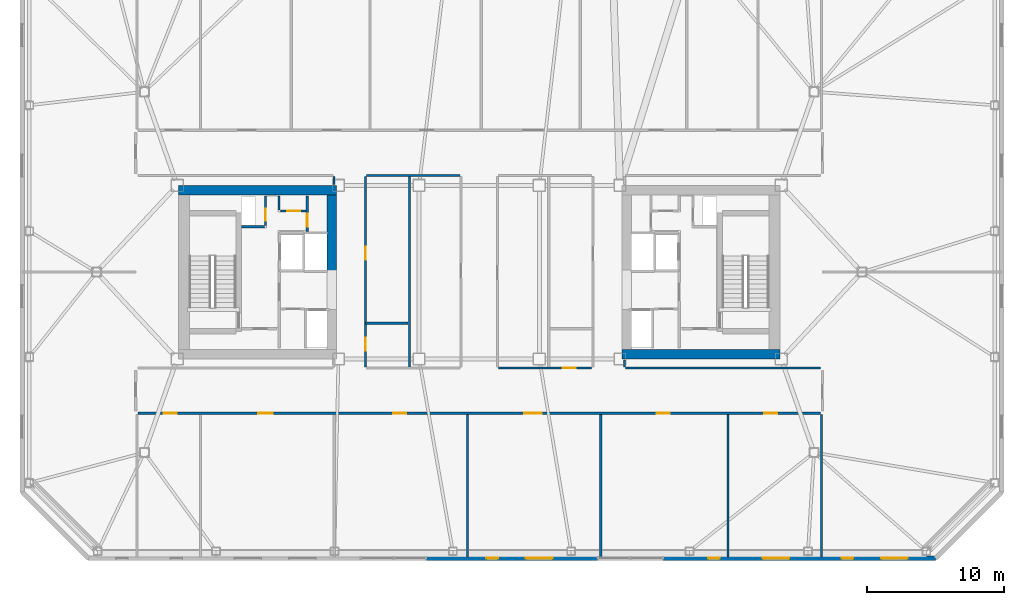
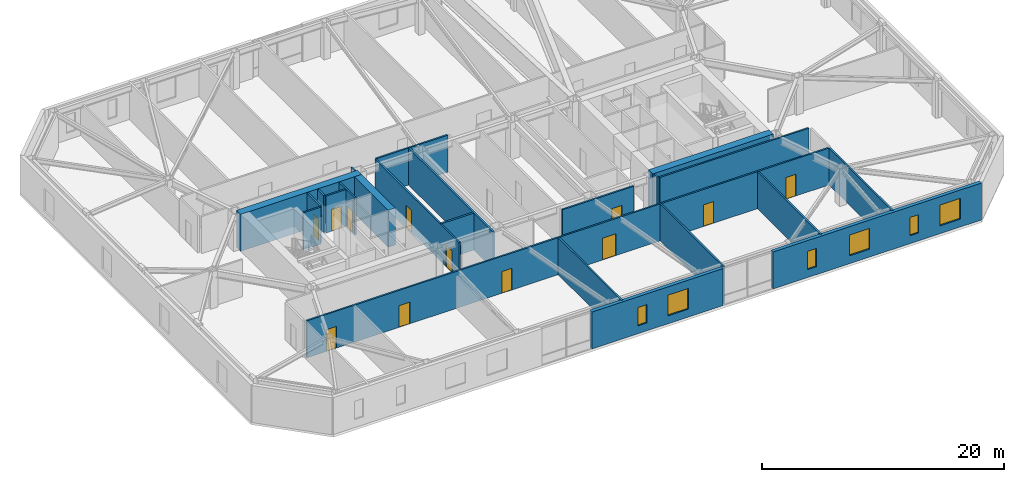
# One storey, part 11 of 18: 23 walls, 12 doors, 6 windows, 18 openings.
"""IFC4 building model written with IfcOpenShell, lengths in metres."""

from ifc_helpers import new_model, si_unit, direction, frame, frame_2d, origin, place, context, subcontext, project, spatial, rectangle, extrude, material, layer, layer_set, type_object, element, fill, save


model = new_model("IFC4")

# Units and contexts
model_context = context("Model", 3, precision=1e-05, world=origin(), true_north=direction((0.0, 1.0)))
body_context = subcontext(model_context, "Body", "Model", "MODEL_VIEW")
ifc_project = project(units=[si_unit("LENGTHUNIT", "METRE"), si_unit("AREAUNIT", "SQUARE_METRE"), si_unit("VOLUMEUNIT", "CUBIC_METRE"), si_unit("PLANEANGLEUNIT", "RADIAN"), si_unit("MASSUNIT", "GRAM", prefix="KILO")], contexts=[model_context])

# Site, building, storey
site_placement = place(None, origin())
site = spatial("IfcSite", under=ifc_project, at=site_placement, CompositionType="ELEMENT")
building_placement = place(site_placement, origin())
building = spatial("IfcBuilding", under=site, at=building_placement, Name="Tavrogorsk Clinical Tower", CompositionType="ELEMENT")
storey_placement = place(building_placement, frame((0.0, 0.0, 180.199951171875)))
storey = spatial("IfcBuildingStorey", under=building, at=storey_placement, Name="L41", CompositionType="ELEMENT", Elevation=180.199951171875)

# Wall, opening, door
ifc_material_1 = material(Name="Lightweight concrete blockwork B15", Category="masonry")
ifc_layer_1 = layer(ifc_material_1, 0.159912109375)
ifc_layer_set_1 = layer_set([ifc_layer_1], Name="Lightweight concrete blockwork B15")
wall_type_1 = type_object("IfcWallType", Name="PartitionWall_160", PredefinedType="PARTITIONING", material=ifc_layer_set_1)
wall_1_placement = place(storey_placement, frame((-12.580078125, 2.9599609375, 0.0), z_axis=(0.0, 0.0, 1.0), x_axis=(0.0, 1.0, 0.0)))
wall_1 = element("IfcWall", 1, at=wall_1_placement, inside=storey, type_object=wall_type_1, Name="L41 Core West Linen Closet Wall", PredefinedType="PARTITIONING", context=body_context, shape_type="SweptSolid", body=[
    extrude(rectangle(XDim=2.60009765625, YDim=0.159912109375, at=frame_2d((1.300048828125, 0.0))), origin(), (0.0, 0.0, 1.0), 3.739990234375),
])
opening_1_placement = place(wall_1_placement, frame((0.35009765625, 0.0, 0.0)))
opening_1 = element("IfcOpeningElement", 2, at=opening_1_placement, cuts=wall_1, Name="Opening ID-02", PredefinedType="OPENING", context=body_context, shape_type="SweptSolid", body=[
    extrude(rectangle(XDim=0.949951171875, YDim=2.199951171875, at=frame_2d((0.47509765625, 1.10009765625))), frame((0.0, 0.08984375, 0.0), z_axis=(0.0, -1.0, 0.0), x_axis=(1.0, 0.0, 0.0)), (0.0, 0.0, 1.0), 0.179931640625),
])
ifc_material_2 = material(Name="Laminated timber leaf on aluminium frame", Category="wood")
door_type_1 = type_object("IfcDoorType", Name="InteriorDoor_ID02_950", OperationType="NOTDEFINED", PredefinedType="DOOR", material=ifc_material_2)
door_1_placement = place(opening_1_placement, origin())
door_1 = element("IfcDoor", 3, at=door_1_placement, inside=storey, type_object=door_type_1, Name="L41 Core West Linen Closet Door", OperationType="SINGLE_SWING_RIGHT", OverallHeight=2.199951171875, OverallWidth=0.949951171875, PredefinedType="DOOR", context=body_context, shape_type="SweptSolid", body=[
    extrude(rectangle(XDim=0.949951171875, YDim=2.199951171875, at=frame_2d((0.47509765625, 1.10009765625))), frame((0.0, 0.02490234375, 0.0), z_axis=(0.0, -1.0, 0.0), x_axis=(1.0, 0.0, 0.0)), (0.0, 0.0, 1.0), 0.050048828125),
])
fill(opening_1, door_1)

wall_2_placement = place(storey_placement, frame((-14.554931640625, 4.47998046875, 0.0), z_axis=(0.0, 0.0, 1.0), x_axis=(1.0, 0.0, 0.0)))
wall_2 = element("IfcWall", 4, at=wall_2_placement, inside=storey, type_object=wall_type_1, Name="L41 Core West Housekeeping South Wall", PredefinedType="PARTITIONING", context=body_context, shape_type="SweptSolid", body=[
    extrude(rectangle(XDim=1.889892578125, YDim=0.159912109375, at=frame_2d((0.94482421875, 0.0))), origin(), (0.0, 0.0, 1.0), 3.739990234375),
])
opening_2_placement = place(wall_2_placement, frame((0.5, 0.0, 0.0)))
opening_2 = element("IfcOpeningElement", 5, at=opening_2_placement, cuts=wall_2, Name="Opening ID-02", PredefinedType="OPENING", context=body_context, shape_type="SweptSolid", body=[
    extrude(rectangle(XDim=0.949951171875, YDim=2.199951171875, at=frame_2d((0.47509765625, 1.10009765625))), frame((0.0, 0.08984375, 0.0), z_axis=(0.0, -1.0, 0.0), x_axis=(1.0, 0.0, 0.0)), (0.0, 0.0, 1.0), 0.179931640625),
])
door_2_placement = place(opening_2_placement, origin())
door_2 = element("IfcDoor", 6, at=door_2_placement, inside=storey, type_object=door_type_1, Name="L41 Core West Housekeeping Closet Door", OperationType="SINGLE_SWING_LEFT", OverallHeight=2.199951171875, OverallWidth=0.949951171875, PredefinedType="DOOR", context=body_context, shape_type="SweptSolid", body=[
    extrude(rectangle(XDim=0.949951171875, YDim=2.199951171875, at=frame_2d((0.47509765625, 1.10009765625))), frame((0.0, 0.02490234375, 0.0), z_axis=(0.0, -1.0, 0.0), x_axis=(1.0, 0.0, 0.0)), (0.0, 0.0, 1.0), 0.050048828125),
])
fill(opening_2, door_2)

# Walls
wall_3_placement = place(storey_placement, frame((-14.639892578125, 4.56494140625, 0.0), z_axis=(0.0, 0.0, 1.0), x_axis=(0.0, 1.0, 0.0)))
element("IfcWall", 7, at=wall_3_placement, inside=storey, type_object=wall_type_1, Name="L41 Core West Housekeeping East Wall", PredefinedType="PARTITIONING", context=body_context, shape_type="SweptSolid", body=[
    extrude(rectangle(XDim=0.9951171875, YDim=0.159912109375, at=frame_2d((0.49755859375, 0.0))), origin(), (0.0, 0.0, 1.0), 3.739990234375),
])
wall_4_placement = place(storey_placement, frame((-10.6298828125, 6.419921875, 0.0), z_axis=(0.0, 0.0, 1.0), x_axis=(0.0, 1.0, 0.0)))
element("IfcWall", 8, at=wall_4_placement, inside=storey, type_object=wall_type_1, Name="L41 Corridor Partition 04", PredefinedType="PARTITIONING", context=body_context, shape_type="SweptSolid", body=[
    extrude(rectangle(XDim=0.565185546875, YDim=0.159912109375, at=frame_2d((0.28271484375, 0.0))), origin(), (0.0, 0.0, 1.0), 3.739990234375),
])
wall_5_placement = place(storey_placement, frame((10.6298828125, -6.419921875, 0.0), z_axis=(0.0, 0.0, 1.0), x_axis=(0.0, -1.0, 0.0)))
element("IfcWall", 9, at=wall_5_placement, inside=storey, type_object=wall_type_1, Name="L41 Corridor Partition 11", PredefinedType="PARTITIONING", context=body_context, shape_type="SweptSolid", body=[
    extrude(rectangle(XDim=0.51513671875, YDim=0.159912109375, at=frame_2d((0.257568359375, 0.0))), origin(), (0.0, 0.0, 1.0), 3.739990234375),
])
wall_6_placement = place(storey_placement, frame((10.715087890625, -7.02001953125, 0.0), z_axis=(0.0, 0.0, 1.0), x_axis=(1.0, 0.0, 0.0)))
element("IfcWall", 10, at=wall_6_placement, inside=storey, type_object=wall_type_1, Name="L41 Corridor Partition 12", PredefinedType="PARTITIONING", context=body_context, shape_type="SweptSolid", body=[
    extrude(rectangle(XDim=14.25, YDim=0.159912109375, at=frame_2d((7.125, 0.0))), origin(), (0.0, 0.0, 1.0), 3.739990234375),
])

# Wall, openings, doors
wall_7_placement = place(storey_placement, frame((24.965087890625, -10.330078125, 0.0), z_axis=(0.0, 0.0, 1.0), x_axis=(-1.0, 0.0, 0.0)))
wall_7 = element("IfcWall", 11, at=wall_7_placement, inside=storey, type_object=wall_type_1, Name="L41 Corridor Partition 14", PredefinedType="PARTITIONING", context=body_context, shape_type="SweptSolid", body=[
    extrude(rectangle(XDim=49.93017578125, YDim=0.159912109375, at=frame_2d((24.965087890625, 0.0))), origin(), (0.0, 0.0, 1.0), 3.739990234375),
])
opening_3_placement = place(wall_7_placement, frame((47.10595703125, 0.0, 0.0)))
opening_3 = element("IfcOpeningElement", 12, at=opening_3_placement, cuts=wall_7, Name="Opening ID-02", PredefinedType="OPENING", context=body_context, shape_type="SweptSolid", body=[
    extrude(rectangle(XDim=0.949951171875, YDim=2.199951171875, at=frame_2d((0.47509765625, 1.10009765625))), frame((0.0, 0.08984375, 0.0), z_axis=(0.0, -1.0, 0.0), x_axis=(1.0, 0.0, 0.0)), (0.0, 0.0, 1.0), 0.179931640625),
])
opening_4_placement = place(wall_7_placement, frame((40.074951171875, 0.0, 0.0)))
opening_4 = element("IfcOpeningElement", 13, at=opening_4_placement, cuts=wall_7, Name="Opening ID-04", PredefinedType="OPENING", context=body_context, shape_type="SweptSolid", body=[
    extrude(rectangle(XDim=1.050048828125, YDim=2.199951171875, at=frame_2d((0.52490234375, 1.10009765625))), frame((0.0, 0.08984375, 0.0), z_axis=(0.0, -1.0, 0.0), x_axis=(1.0, 0.0, 0.0)), (0.0, 0.0, 1.0), 0.179931640625),
])
opening_5_placement = place(wall_7_placement, frame((30.300048828125, 0.0, 0.0)))
opening_5 = element("IfcOpeningElement", 14, at=opening_5_placement, cuts=wall_7, Name="Opening ID-02", PredefinedType="OPENING", context=body_context, shape_type="SweptSolid", body=[
    extrude(rectangle(XDim=0.949951171875, YDim=2.199951171875, at=frame_2d((0.47509765625, 1.10009765625))), frame((0.0, 0.08984375, 0.0), z_axis=(0.0, -1.0, 0.0), x_axis=(1.0, 0.0, 0.0)), (0.0, 0.0, 1.0), 0.179931640625),
])
opening_6_placement = place(wall_7_placement, frame((20.375, 0.0, 0.0)))
opening_6 = element("IfcOpeningElement", 15, at=opening_6_placement, cuts=wall_7, Name="Opening ID-01", PredefinedType="OPENING", context=body_context, shape_type="SweptSolid", body=[
    extrude(rectangle(XDim=1.300048828125, YDim=2.199951171875, at=frame_2d((0.64990234375, 1.10009765625))), frame((0.0, 0.08984375, 0.0), z_axis=(0.0, -1.0, 0.0), x_axis=(1.0, 0.0, 0.0)), (0.0, 0.0, 1.0), 0.179931640625),
])
opening_7_placement = place(wall_7_placement, frame((11.02490234375, 0.0, 0.0)))
opening_7 = element("IfcOpeningElement", 16, at=opening_7_placement, cuts=wall_7, Name="Opening ID-02", PredefinedType="OPENING", context=body_context, shape_type="SweptSolid", body=[
    extrude(rectangle(XDim=0.949951171875, YDim=2.199951171875, at=frame_2d((0.47509765625, 1.10009765625))), frame((0.0, 0.08984375, 0.0), z_axis=(0.0, -1.0, 0.0), x_axis=(1.0, 0.0, 0.0)), (0.0, 0.0, 1.0), 0.179931640625),
])
opening_8_placement = place(wall_7_placement, frame((3.14404296875, 0.0, 0.0)))
opening_8 = element("IfcOpeningElement", 17, at=opening_8_placement, cuts=wall_7, Name="Opening ID-02", PredefinedType="OPENING", context=body_context, shape_type="SweptSolid", body=[
    extrude(rectangle(XDim=0.949951171875, YDim=2.199951171875, at=frame_2d((0.47509765625, 1.10009765625))), frame((0.0, 0.08984375, 0.0), z_axis=(0.0, -1.0, 0.0), x_axis=(1.0, 0.0, 0.0)), (0.0, 0.0, 1.0), 0.179931640625),
])
ifc_material_3 = material(Name="Antibacterial HPL consultation door on aluminium frame", Category="aluminium")
door_type_2 = type_object("IfcDoorType", Name="ConsultDoor_ID04_1050", OperationType="NOTDEFINED", PredefinedType="DOOR", material=ifc_material_3)
door_3_placement = place(opening_4_placement, origin())
door_3 = element("IfcDoor", 18, at=door_3_placement, inside=storey, type_object=door_type_2, Name="L41 South Cardiology Diagnostics Room 02 Door", OperationType="SINGLE_SWING_RIGHT", OverallHeight=2.199951171875, OverallWidth=1.050048828125, PredefinedType="DOOR", context=body_context, shape_type="SweptSolid", body=[
    extrude(rectangle(XDim=1.050048828125, YDim=2.199951171875, at=frame_2d((0.52490234375, 1.10009765625))), frame((0.0, 0.02490234375, 0.0), z_axis=(0.0, -1.0, 0.0), x_axis=(1.0, 0.0, 0.0)), (0.0, 0.0, 1.0), 0.050048828125),
])
fill(opening_4, door_3)
door_4_placement = place(opening_3_placement, origin())
door_4 = element("IfcDoor", 19, at=door_4_placement, inside=storey, type_object=door_type_1, Name="L41 South Outpatient Procedure Suite 01 Door", OperationType="SINGLE_SWING_LEFT", OverallHeight=2.199951171875, OverallWidth=0.949951171875, PredefinedType="DOOR", context=body_context, shape_type="SweptSolid", body=[
    extrude(rectangle(XDim=0.949951171875, YDim=2.199951171875, at=frame_2d((0.47509765625, 1.10009765625))), frame((0.0, 0.02490234375, 0.0), z_axis=(0.0, -1.0, 0.0), x_axis=(1.0, 0.0, 0.0)), (0.0, 0.0, 1.0), 0.050048828125),
])
fill(opening_3, door_4)
door_5_placement = place(opening_5_placement, origin())
door_5 = element("IfcDoor", 20, at=door_5_placement, inside=storey, type_object=door_type_1, Name="L41 South Attending Physician Office 03 Door", OperationType="SINGLE_SWING_LEFT", OverallHeight=2.199951171875, OverallWidth=0.949951171875, PredefinedType="DOOR", context=body_context, shape_type="SweptSolid", body=[
    extrude(rectangle(XDim=0.949951171875, YDim=2.199951171875, at=frame_2d((0.47509765625, 1.10009765625))), frame((0.0, 0.02490234375, 0.0), z_axis=(0.0, -1.0, 0.0), x_axis=(1.0, 0.0, 0.0)), (0.0, 0.0, 1.0), 0.050048828125),
])
fill(opening_5, door_5)
door_6_placement = place(opening_7_placement, origin())
door_6 = element("IfcDoor", 21, at=door_6_placement, inside=storey, type_object=door_type_1, Name="L41 South Clean Medication & Prep Room 05 Door", OperationType="SINGLE_SWING_LEFT", OverallHeight=2.199951171875, OverallWidth=0.949951171875, PredefinedType="DOOR", context=body_context, shape_type="SweptSolid", body=[
    extrude(rectangle(XDim=0.949951171875, YDim=2.199951171875, at=frame_2d((0.47509765625, 1.10009765625))), frame((0.0, 0.02490234375, 0.0), z_axis=(0.0, -1.0, 0.0), x_axis=(1.0, 0.0, 0.0)), (0.0, 0.0, 1.0), 0.050048828125),
])
fill(opening_7, door_6)
door_7_placement = place(opening_8_placement, origin())
door_7 = element("IfcDoor", 22, at=door_7_placement, inside=storey, type_object=door_type_1, Name="L41 South Outpatient Procedure Suite 06 Door", OperationType="SINGLE_SWING_RIGHT", OverallHeight=2.199951171875, OverallWidth=0.949951171875, PredefinedType="DOOR", context=body_context, shape_type="SweptSolid", body=[
    extrude(rectangle(XDim=0.949951171875, YDim=2.199951171875, at=frame_2d((0.47509765625, 1.10009765625))), frame((0.0, 0.02490234375, 0.0), z_axis=(0.0, -1.0, 0.0), x_axis=(1.0, 0.0, 0.0)), (0.0, 0.0, 1.0), 0.050048828125),
])
fill(opening_8, door_7)
ifc_material_4 = material(Name="Antibacterial HPL medical leaf on aluminium frame", Category="aluminium")
door_type_3 = type_object("IfcDoorType", Name="WardBedDoor_ID01_1300", OperationType="NOTDEFINED", PredefinedType="DOOR", material=ifc_material_4)
door_8_placement = place(opening_6_placement, origin())
door_8 = element("IfcDoor", 23, at=door_8_placement, inside=storey, type_object=door_type_3, Name="L41 South Acute Medical Ward 04 Door", OperationType="SINGLE_SWING_RIGHT", OverallHeight=2.199951171875, OverallWidth=1.300048828125, PredefinedType="DOOR", context=body_context, shape_type="SweptSolid", body=[
    extrude(rectangle(XDim=1.300048828125, YDim=2.199951171875, at=frame_2d((0.64990234375, 1.10009765625))), frame((0.0, 0.02490234375, 0.0), z_axis=(0.0, -1.0, 0.0), x_axis=(1.0, 0.0, 0.0)), (0.0, 0.0, 1.0), 0.050048828125),
])
fill(opening_6, door_8)

# Wall, opening, door
wall_8_placement = place(storey_placement, frame((1.4150390625, -7.02001953125, 0.0), z_axis=(0.0, 0.0, 1.0), x_axis=(1.0, 0.0, 0.0)))
wall_8 = element("IfcWall", 24, at=wall_8_placement, inside=storey, type_object=wall_type_1, Name="L41 Corridor Partition 17", PredefinedType="PARTITIONING", context=body_context, shape_type="SweptSolid", body=[
    extrude(rectangle(XDim=6.820068359375, YDim=0.159912109375, at=frame_2d((3.41015625, 0.0))), origin(), (0.0, 0.0, 1.0), 3.739990234375),
])
opening_9_placement = place(wall_8_placement, frame((4.7109375, 0.0, 0.0)))
opening_9 = element("IfcOpeningElement", 25, at=opening_9_placement, cuts=wall_8, Name="Opening ID-02", PredefinedType="OPENING", context=body_context, shape_type="SweptSolid", body=[
    extrude(rectangle(XDim=0.949951171875, YDim=2.199951171875, at=frame_2d((0.47509765625, 1.10009765625))), frame((0.0, 0.08984375, 0.0), z_axis=(0.0, -1.0, 0.0), x_axis=(1.0, 0.0, 0.0)), (0.0, 0.0, 1.0), 0.179931640625),
])
door_9_placement = place(opening_9_placement, origin())
door_9 = element("IfcDoor", 26, at=door_9_placement, inside=storey, type_object=door_type_1, Name="L41 Staff & Visitor Accessible WC Door", OperationType="SINGLE_SWING_LEFT", OverallHeight=2.199951171875, OverallWidth=0.949951171875, PredefinedType="DOOR", context=body_context, shape_type="SweptSolid", body=[
    extrude(rectangle(XDim=0.949951171875, YDim=2.199951171875, at=frame_2d((0.47509765625, 1.10009765625))), frame((0.0, 0.02490234375, 0.0), z_axis=(0.0, -1.0, 0.0), x_axis=(1.0, 0.0, 0.0)), (0.0, 0.0, 1.0), 0.050048828125),
])
fill(opening_9, door_9)

# Wall
wall_9_placement = place(storey_placement, frame((-1.4150390625, 7.070068359375, 0.0), z_axis=(0.0, 0.0, 1.0), x_axis=(-1.0, 0.0, 0.0)))
element("IfcWall", 27, at=wall_9_placement, inside=storey, type_object=wall_type_1, Name="L41 Corridor Partition 20", PredefinedType="PARTITIONING", context=body_context, shape_type="SweptSolid", body=[
    extrude(rectangle(XDim=6.820068359375, YDim=0.159912109375, at=frame_2d((3.41015625, 0.0))), origin(), (0.0, 0.0, 1.0), 3.739990234375),
])

# Wall, openings, doors
wall_10_placement = place(storey_placement, frame((-8.320068359375, 6.985107421875, 0.0), z_axis=(0.0, 0.0, 1.0), x_axis=(0.0, -1.0, 0.0)))
wall_10 = element("IfcWall", 28, at=wall_10_placement, inside=storey, type_object=wall_type_1, Name="L41 Corridor Partition 21", PredefinedType="PARTITIONING", context=body_context, shape_type="SweptSolid", body=[
    extrude(rectangle(XDim=13.920166015625, YDim=0.159912109375, at=frame_2d((6.9599609375, 0.0))), origin(), (0.0, 0.0, 1.0), 3.739990234375),
])
opening_10_placement = place(wall_10_placement, frame((11.785888671875, 0.0, 0.0)))
opening_10 = element("IfcOpeningElement", 29, at=opening_10_placement, cuts=wall_10, Name="Opening ID-02", PredefinedType="OPENING", context=body_context, shape_type="SweptSolid", body=[
    extrude(rectangle(XDim=0.949951171875, YDim=2.199951171875, at=frame_2d((0.47509765625, 1.10009765625))), frame((0.0, 0.08984375, 0.0), z_axis=(0.0, -1.0, 0.0), x_axis=(1.0, 0.0, 0.0)), (0.0, 0.0, 1.0), 0.179931640625),
])
opening_11_placement = place(wall_10_placement, frame((5.129150390625, 0.0, 0.0)))
opening_11 = element("IfcOpeningElement", 30, at=opening_11_placement, cuts=wall_10, Name="Opening ID-02", PredefinedType="OPENING", context=body_context, shape_type="SweptSolid", body=[
    extrude(rectangle(XDim=0.949951171875, YDim=2.199951171875, at=frame_2d((0.47509765625, 1.10009765625))), frame((0.0, 0.08984375, 0.0), z_axis=(0.0, -1.0, 0.0), x_axis=(1.0, 0.0, 0.0)), (0.0, 0.0, 1.0), 0.179931640625),
])
door_10_placement = place(opening_10_placement, origin())
door_10 = element("IfcDoor", 31, at=door_10_placement, inside=storey, type_object=door_type_1, Name="L41 Accessible Patient Lavatory Door", OperationType="SINGLE_SWING_LEFT", OverallHeight=2.199951171875, OverallWidth=0.949951171875, PredefinedType="DOOR", context=body_context, shape_type="SweptSolid", body=[
    extrude(rectangle(XDim=0.949951171875, YDim=2.199951171875, at=frame_2d((0.47509765625, 1.10009765625))), frame((0.0, 0.02490234375, 0.0), z_axis=(0.0, -1.0, 0.0), x_axis=(1.0, 0.0, 0.0)), (0.0, 0.0, 1.0), 0.050048828125),
])
fill(opening_10, door_10)
door_11_placement = place(opening_11_placement, origin())
door_11 = element("IfcDoor", 32, at=door_11_placement, inside=storey, type_object=door_type_1, Name="L41 Ward Nourishment Pantry Door", OperationType="SINGLE_SWING_RIGHT", OverallHeight=2.199951171875, OverallWidth=0.949951171875, PredefinedType="DOOR", context=body_context, shape_type="SweptSolid", body=[
    extrude(rectangle(XDim=0.949951171875, YDim=2.199951171875, at=frame_2d((0.47509765625, 1.10009765625))), frame((0.0, 0.02490234375, 0.0), z_axis=(0.0, -1.0, 0.0), x_axis=(1.0, 0.0, 0.0)), (0.0, 0.0, 1.0), 0.050048828125),
])
fill(opening_11, door_11)

# Walls
for number, where, z_axis, x_axis, name in (
    (33, (25.050048828125, -20.860107421875, 0.0), (0.0, 0.0, 1.0), (0.0, 1.0, 0.0), "L41 SE Wing Closure Partition"),
    (34, (-0.85009765625, -20.860107421875, 0.0), (0.0, 0.0, 1.0), (0.0, 1.0, 0.0), "L41 South Room Partition 3"),
    (35, (8.89990234375, -20.860107421875, 0.0), (0.0, 0.0, 1.0), (0.0, 1.0, 0.0), "L41 South Room Partition 4"),
    (36, (18.199951171875, -20.860107421875, 0.0), (0.0, 0.0, 1.0), (0.0, 1.0, 0.0), "L41 South Room Partition 5"),
):
    element("IfcWall", number, at=place(storey_placement, frame(where, z_axis=z_axis, x_axis=x_axis)), inside=storey, type_object=wall_type_1, Name=name, PredefinedType="PARTITIONING", context=body_context, shape_type="SweptSolid", body=[
        extrude(rectangle(XDim=10.445068359375, YDim=0.159912109375, at=frame_2d((5.22265625, 0.0))), origin(), (0.0, 0.0, 1.0), 3.739990234375),
    ])
ifc_material_5 = material(Name="Lightweight concrete blockwork B20", Category="masonry")
ifc_layer_2 = layer(ifc_material_5, 0.179931640625)
ifc_layer_set_2 = layer_set([ifc_layer_2], Name="Lightweight concrete blockwork B20")
wall_type_2 = type_object("IfcWallType", Name="PartitionWall_180", PredefinedType="PARTITIONING", material=ifc_layer_set_2)
wall_11_placement = place(storey_placement, frame((-5.10009765625, -7.014892578125, 0.0), z_axis=(0.0, 0.0, 1.0), x_axis=(0.0, 1.0, 0.0)))
element("IfcWall", 37, at=wall_11_placement, inside=storey, type_object=wall_type_2, Name="L41 Central Spine Partition 1", PredefinedType="PARTITIONING", context=body_context, shape_type="SweptSolid", body=[
    extrude(rectangle(XDim=14.079833984375, YDim=0.179931640625, at=frame_2d((7.0400390625, 0.0))), origin(), (0.0, 0.0, 1.0), 3.739990234375),
])
wall_12_placement = place(storey_placement, frame((-8.31494140625, -3.75, 0.0), z_axis=(0.0, 0.0, 1.0), x_axis=(1.0, 0.0, 0.0)))
element("IfcWall", 38, at=wall_12_placement, inside=storey, type_object=wall_type_2, Name="L41 Central Spine Partition 3", PredefinedType="PARTITIONING", context=body_context, shape_type="SweptSolid", body=[
    extrude(rectangle(XDim=3.119873046875, YDim=0.179931640625, at=frame_2d((1.56005859375, 0.0))), origin(), (0.0, 0.0, 1.0), 3.739990234375),
])

# Wall, openings, windows
ifc_material_6 = material(Name="Precast concrete B45 with limestone cladding", Category="masonry")
ifc_layer_3 = layer(ifc_material_6, 0.340087890625)
ifc_layer_set_3 = layer_set([ifc_layer_3], Name="Precast concrete B45 with limestone cladding")
wall_type_3 = type_object("IfcWallType", Name="PrecastLimestoneWall_340", PredefinedType="STANDARD", material=ifc_layer_set_3)
wall_13_placement = place(storey_placement, frame((-3.86279296875, -20.929931640625, 0.0), z_axis=(0.0, 0.0, 1.0), x_axis=(1.0, 0.0, 0.0)))
wall_13 = element("IfcWall", 39, at=wall_13_placement, inside=storey, type_object=wall_type_3, Name="L41 S Limestone Facade Wall 2", PredefinedType="STANDARD", context=body_context, shape_type="SweptSolid", body=[
    extrude(rectangle(XDim=12.525634765625, YDim=0.340087890625, at=frame_2d((6.2626953125, 0.0))), origin(), (0.0, 0.0, 1.0), 3.739990234375),
])
opening_12_placement = place(wall_13_placement, frame((4.3955078125, 0.0, 0.800048828125)))
opening_12 = element("IfcOpeningElement", 40, at=opening_12_placement, cuts=wall_13, Name="Opening WN-06", PredefinedType="OPENING", context=body_context, shape_type="SweptSolid", body=[
    extrude(rectangle(XDim=0.85009765625, YDim=1.85009765625, at=frame_2d((0.425048828125, 0.925048828125))), frame((0.0, 0.179931640625, 0.0), z_axis=(0.0, -1.0, 0.0), x_axis=(1.0, 0.0, 0.0)), (0.0, 0.0, 1.0), 0.360107421875),
])
opening_13_placement = place(wall_13_placement, frame((7.2802734375, 0.0, 0.800048828125)))
opening_13 = element("IfcOpeningElement", 41, at=opening_13_placement, cuts=wall_13, Name="Opening WN-13", PredefinedType="OPENING", context=body_context, shape_type="SweptSolid", body=[
    extrude(rectangle(XDim=1.949951171875, YDim=2.10009765625, at=frame_2d((0.97509765625, 1.050048828125))), frame((0.0, 0.179931640625, 0.0), z_axis=(0.0, -1.0, 0.0), x_axis=(1.0, 0.0, 0.0)), (0.0, 0.0, 1.0), 0.360107421875),
])
ifc_material_7 = material(Name="Thermally broken aluminium frame and triple IGU", Category="aluminium")
window_type_1 = type_object("IfcWindowType", Name="ExamRoomWin_1950x2100", PartitioningType="DOUBLE_PANEL_VERTICAL", PredefinedType="WINDOW", material=ifc_material_7)
window_1_placement = place(opening_13_placement, origin())
window_1 = element("IfcWindow", 42, at=window_1_placement, inside=storey, type_object=window_type_1, Name="L41 S Chicago Window 06", OverallHeight=2.10009765625, OverallWidth=1.949951171875, PartitioningType="SINGLE_PANEL", PredefinedType="WINDOW", context=body_context, shape_type="SweptSolid", body=[
    extrude(rectangle(XDim=1.949951171875, YDim=2.10009765625, at=frame_2d((0.97509765625, 1.050048828125))), frame((0.0, 0.030029296875, 0.0), z_axis=(0.0, -1.0, 0.0), x_axis=(1.0, 0.0, 0.0)), (0.0, 0.0, 1.0), 0.06005859375),
])
fill(opening_13, window_1)
ifc_material_8 = material(Name="Thermally broken aluminium frame and triple IGU", Category="aluminium")
window_type_2 = type_object("IfcWindowType", Name="MullionSubWin_850x1850", PartitioningType="SINGLE_PANEL", PredefinedType="WINDOW", material=ifc_material_8)
window_2_placement = place(opening_12_placement, origin())
window_2 = element("IfcWindow", 43, at=window_2_placement, inside=storey, type_object=window_type_2, Name="L41 S Mullion Split Window 05B", OverallHeight=1.85009765625, OverallWidth=0.85009765625, PartitioningType="SINGLE_PANEL", PredefinedType="WINDOW", context=body_context, shape_type="SweptSolid", body=[
    extrude(rectangle(XDim=0.85009765625, YDim=1.85009765625, at=frame_2d((0.425048828125, 0.925048828125))), frame((0.0, 0.030029296875, 0.0), z_axis=(0.0, -1.0, 0.0), x_axis=(1.0, 0.0, 0.0)), (0.0, 0.0, 1.0), 0.06005859375),
])
fill(opening_12, window_2)

wall_14_placement = place(storey_placement, frame((13.462890625, -20.929931640625, 0.0), z_axis=(0.0, 0.0, 1.0), x_axis=(1.0, 0.0, 0.0)))
wall_14 = element("IfcWall", 44, at=wall_14_placement, inside=storey, type_object=wall_type_3, Name="L41 S Limestone Facade Wall 3", PredefinedType="STANDARD", context=body_context, shape_type="SweptSolid", body=[
    extrude(rectangle(XDim=19.93701171875, YDim=0.340087890625, at=frame_2d((9.968505859375, 0.0))), origin(), (0.0, 0.0, 1.0), 3.739990234375),
])
opening_14_placement = place(wall_14_placement, frame((3.29541015625, 0.0, 0.800048828125)))
opening_14 = element("IfcOpeningElement", 45, at=opening_14_placement, cuts=wall_14, Name="Opening WN-06", PredefinedType="OPENING", context=body_context, shape_type="SweptSolid", body=[
    extrude(rectangle(XDim=0.85009765625, YDim=1.85009765625, at=frame_2d((0.425048828125, 0.925048828125))), frame((0.0, 0.179931640625, 0.0), z_axis=(0.0, -1.0, 0.0), x_axis=(1.0, 0.0, 0.0)), (0.0, 0.0, 1.0), 0.360107421875),
])
opening_15_placement = place(wall_14_placement, frame((7.2802734375, 0.0, 0.800048828125)))
opening_15 = element("IfcOpeningElement", 46, at=opening_15_placement, cuts=wall_14, Name="Opening WN-13", PredefinedType="OPENING", context=body_context, shape_type="SweptSolid", body=[
    extrude(rectangle(XDim=1.949951171875, YDim=2.10009765625, at=frame_2d((0.97509765625, 1.050048828125))), frame((0.0, 0.179931640625, 0.0), z_axis=(0.0, -1.0, 0.0), x_axis=(1.0, 0.0, 0.0)), (0.0, 0.0, 1.0), 0.360107421875),
])
opening_16_placement = place(wall_14_placement, frame((13.058349609375, 0.0, 0.800048828125)))
opening_16 = element("IfcOpeningElement", 47, at=opening_16_placement, cuts=wall_14, Name="Opening WN-06", PredefinedType="OPENING", context=body_context, shape_type="SweptSolid", body=[
    extrude(rectangle(XDim=0.85009765625, YDim=1.85009765625, at=frame_2d((0.425048828125, 0.925048828125))), frame((0.0, 0.179931640625, 0.0), z_axis=(0.0, -1.0, 0.0), x_axis=(1.0, 0.0, 0.0)), (0.0, 0.0, 1.0), 0.360107421875),
])
opening_17_placement = place(wall_14_placement, frame((15.943115234375, 0.0, 0.800048828125)))
opening_17 = element("IfcOpeningElement", 48, at=opening_17_placement, cuts=wall_14, Name="Opening WN-13", PredefinedType="OPENING", context=body_context, shape_type="SweptSolid", body=[
    extrude(rectangle(XDim=1.949951171875, YDim=2.10009765625, at=frame_2d((0.97509765625, 1.050048828125))), frame((0.0, 0.179931640625, 0.0), z_axis=(0.0, -1.0, 0.0), x_axis=(1.0, 0.0, 0.0)), (0.0, 0.0, 1.0), 0.360107421875),
])
window_3_placement = place(opening_15_placement, origin())
window_3 = element("IfcWindow", 49, at=window_3_placement, inside=storey, type_object=window_type_1, Name="L41 S Chicago Window 08", OverallHeight=2.10009765625, OverallWidth=1.949951171875, PartitioningType="SINGLE_PANEL", PredefinedType="WINDOW", context=body_context, shape_type="SweptSolid", body=[
    extrude(rectangle(XDim=1.949951171875, YDim=2.10009765625, at=frame_2d((0.97509765625, 1.050048828125))), frame((0.0, 0.030029296875, 0.0), z_axis=(0.0, -1.0, 0.0), x_axis=(1.0, 0.0, 0.0)), (0.0, 0.0, 1.0), 0.06005859375),
])
fill(opening_15, window_3)
window_4_placement = place(opening_17_placement, origin())
window_4 = element("IfcWindow", 50, at=window_4_placement, inside=storey, type_object=window_type_1, Name="L41 S Chicago Window 10", OverallHeight=2.10009765625, OverallWidth=1.949951171875, PartitioningType="SINGLE_PANEL", PredefinedType="WINDOW", context=body_context, shape_type="SweptSolid", body=[
    extrude(rectangle(XDim=1.949951171875, YDim=2.10009765625, at=frame_2d((0.97509765625, 1.050048828125))), frame((0.0, 0.030029296875, 0.0), z_axis=(0.0, -1.0, 0.0), x_axis=(1.0, 0.0, 0.0)), (0.0, 0.0, 1.0), 0.06005859375),
])
fill(opening_17, window_4)
window_5_placement = place(opening_14_placement, origin())
window_5 = element("IfcWindow", 51, at=window_5_placement, inside=storey, type_object=window_type_2, Name="L41 S Mullion Split Window 07A", OverallHeight=1.85009765625, OverallWidth=0.85009765625, PartitioningType="SINGLE_PANEL", PredefinedType="WINDOW", context=body_context, shape_type="SweptSolid", body=[
    extrude(rectangle(XDim=0.85009765625, YDim=1.85009765625, at=frame_2d((0.425048828125, 0.925048828125))), frame((0.0, 0.030029296875, 0.0), z_axis=(0.0, -1.0, 0.0), x_axis=(1.0, 0.0, 0.0)), (0.0, 0.0, 1.0), 0.06005859375),
])
fill(opening_14, window_5)
window_6_placement = place(opening_16_placement, origin())
window_6 = element("IfcWindow", 52, at=window_6_placement, inside=storey, type_object=window_type_2, Name="L41 S Mullion Split Window 09B", OverallHeight=1.85009765625, OverallWidth=0.85009765625, PartitioningType="SINGLE_PANEL", PredefinedType="WINDOW", context=body_context, shape_type="SweptSolid", body=[
    extrude(rectangle(XDim=0.85009765625, YDim=1.85009765625, at=frame_2d((0.425048828125, 0.925048828125))), frame((0.0, 0.030029296875, 0.0), z_axis=(0.0, -1.0, 0.0), x_axis=(1.0, 0.0, 0.0)), (0.0, 0.0, 1.0), 0.06005859375),
])
fill(opening_16, window_6)

# Wall, opening, door
ifc_material_9 = material(Name="Lightweight concrete blockwork B25", Category="masonry")
ifc_layer_4 = layer(ifc_material_9, 0.159912109375)
ifc_layer_set_4 = layer_set([ifc_layer_4], Name="Lightweight concrete blockwork B25")
wall_type_4 = type_object("IfcWallType", Name="ShaftWall_160", PredefinedType="PARTITIONING", material=ifc_layer_set_4)
wall_15_placement = place(storey_placement, frame((-15.639892578125, 3.405029296875, 0.0), z_axis=(0.0, 0.0, 1.0), x_axis=(0.0, 1.0, 0.0)))
wall_15 = element("IfcWall", 53, at=wall_15_placement, inside=storey, type_object=wall_type_4, Name="L41 Core West Riser West Wall", PredefinedType="PARTITIONING", context=body_context, shape_type="SweptSolid", body=[
    extrude(rectangle(XDim=2.155029296875, YDim=0.159912109375, at=frame_2d((1.07763671875, 0.0))), origin(), (0.0, 0.0, 1.0), 3.739990234375),
])
opening_18_placement = place(wall_15_placement, frame((0.35009765625, 0.0, 0.0)))
opening_18 = element("IfcOpeningElement", 54, at=opening_18_placement, cuts=wall_15, Name="Opening FD-02", PredefinedType="OPENING", context=body_context, shape_type="SweptSolid", body=[
    extrude(rectangle(XDim=0.89990234375, YDim=2.199951171875, at=frame_2d((0.449951171875, 1.10009765625))), frame((0.0, 0.08984375, 0.0), z_axis=(0.0, -1.0, 0.0), x_axis=(1.0, 0.0, 0.0)), (0.0, 0.0, 1.0), 0.179931640625),
])
ifc_material_10 = material(Name="Galvanised steel fire-rated door assembly", Category="steel")
door_type_4 = type_object("IfcDoorType", Name="FireDoor_FD02_900", OperationType="NOTDEFINED", PredefinedType="DOOR", material=ifc_material_10)
door_12_placement = place(opening_18_placement, origin())
door_12 = element("IfcDoor", 55, at=door_12_placement, inside=storey, type_object=door_type_4, Name="L41 Core West Electrical Riser Access Door", OperationType="SINGLE_SWING_LEFT", OverallHeight=2.199951171875, OverallWidth=0.89990234375, PredefinedType="DOOR", context=body_context, shape_type="SweptSolid", body=[
    extrude(rectangle(XDim=0.89990234375, YDim=2.199951171875, at=frame_2d((0.449951171875, 1.10009765625))), frame((0.0, 0.02490234375, 0.0), z_axis=(0.0, -1.0, 0.0), x_axis=(1.0, 0.0, 0.0)), (0.0, 0.0, 1.0), 0.050048828125),
])
fill(opening_18, door_12)

# Walls
wall_16_placement = place(storey_placement, frame((-17.3798828125, 3.320068359375, 0.0), z_axis=(0.0, 0.0, 1.0), x_axis=(1.0, 0.0, 0.0)))
element("IfcWall", 56, at=wall_16_placement, inside=storey, type_object=wall_type_4, Name="L41 Core West Riser South Wall", PredefinedType="PARTITIONING", context=body_context, shape_type="SweptSolid", body=[
    extrude(rectangle(XDim=1.65478515625, YDim=0.159912109375, at=frame_2d((0.827392578125, 0.0))), origin(), (0.0, 0.0, 1.0), 3.739990234375),
])
ifc_material_11 = material(Name="Concrete B80", Category="concrete")
ifc_layer_5 = layer(ifc_material_11, 0.699951171875)
ifc_layer_set_5 = layer_set([ifc_layer_5], Name="Concrete B80")
wall_type_5 = type_object("IfcWallType", Name="ShearWall_700", PredefinedType="SHEAR", material=ifc_layer_set_5)
wall_17_placement = place(storey_placement, frame((-22.0, 6.0, 0.0), z_axis=(0.0, 0.0, 1.0), x_axis=(1.0, 0.0, 0.0)))
element("IfcWall", 57, at=wall_17_placement, inside=storey, type_object=wall_type_5, Name="L41 Core West North Shear Wall", PredefinedType="SHEAR", context=body_context, shape_type="SweptSolid", body=[
    extrude(rectangle(XDim=11.550048828125, YDim=0.699951171875, at=frame_2d((5.77490234375, 0.0))), origin(), (0.0, 0.0, 1.0), 3.739990234375),
])
wall_18_placement = place(storey_placement, frame((-10.800048828125, 0.050048828125, 0.0), z_axis=(0.0, 0.0, 1.0), x_axis=(0.0, 1.0, 0.0)))
element("IfcWall", 58, at=wall_18_placement, inside=storey, type_object=wall_type_5, Name="L41 Core West Inner North Pier", PredefinedType="SHEAR", context=body_context, shape_type="SweptSolid", body=[
    extrude(rectangle(XDim=5.599853515625, YDim=0.699951171875, at=frame_2d((2.7998046875, 0.0))), origin(), (0.0, 0.0, 1.0), 3.739990234375),
])
wall_19_placement = place(storey_placement, frame((10.449951171875, -6.0, 0.0), z_axis=(0.0, 0.0, 1.0), x_axis=(1.0, 0.0, 0.0)))
element("IfcWall", 59, at=wall_19_placement, inside=storey, type_object=wall_type_5, Name="L41 Core East South Shear Wall", PredefinedType="SHEAR", context=body_context, shape_type="SweptSolid", body=[
    extrude(rectangle(XDim=11.550048828125, YDim=0.699951171875, at=frame_2d((5.77490234375, 0.0))), origin(), (0.0, 0.0, 1.0), 3.739990234375),
])

save(model, "model.ifc")
